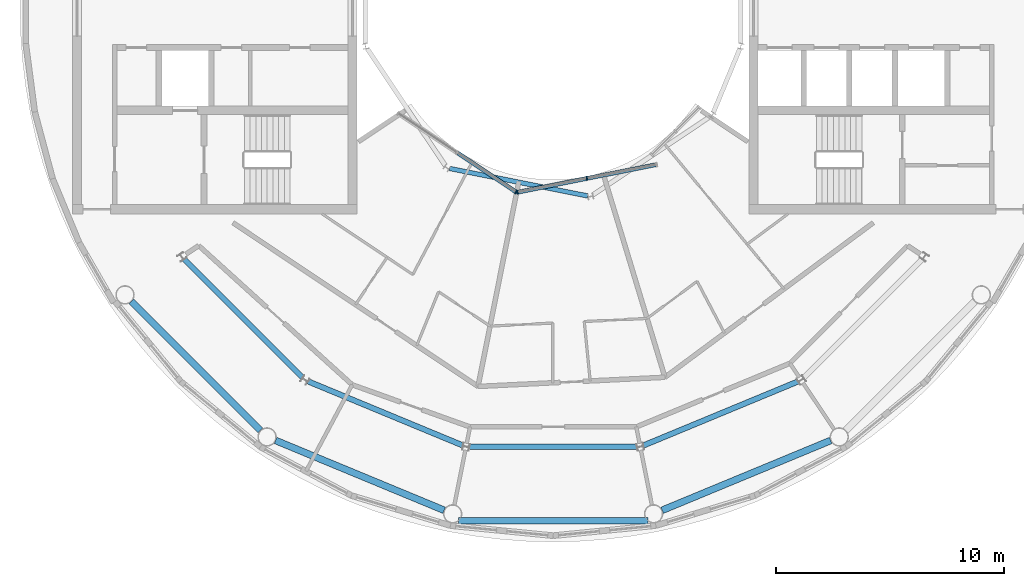
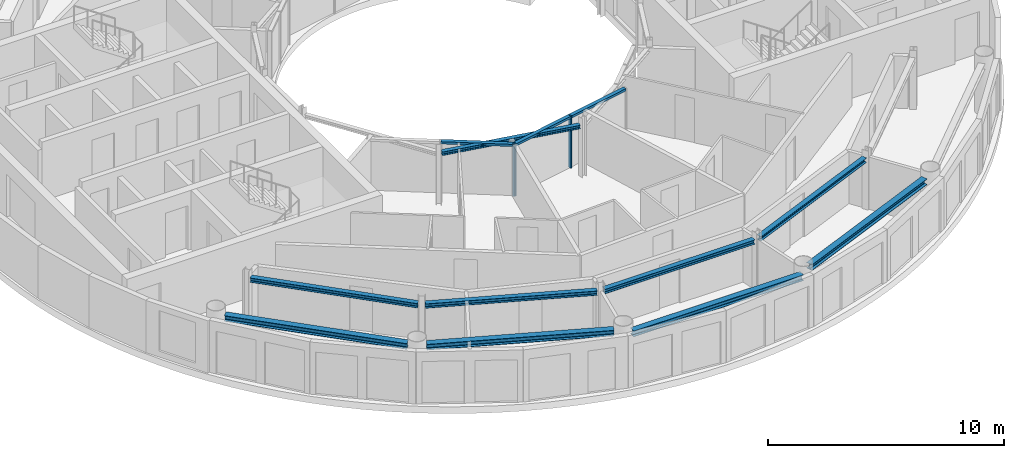
# One storey, part 5 of 17: 9 beams, 6 members, 2 elements without a shape of their own.
"""IFC4 building model written with IfcOpenShell, lengths in metres."""

from ifc_helpers import new_model, si_unit, direction, frame, origin, origin_2d, place, context, subcontext, project, spatial, rectangle, i_section, extrude, material, layer, layer_set, material_profile, profile_set, type_object, element, aggregate, save


model = new_model("IFC4")

# Units and contexts
model_context = context("Model", 3, precision=1e-05, world=origin(), true_north=direction((0.0, 1.0)))
body_context = subcontext(model_context, "Body", "Model", "MODEL_VIEW")
ifc_project = project(units=[si_unit("LENGTHUNIT", "METRE"), si_unit("AREAUNIT", "SQUARE_METRE"), si_unit("VOLUMEUNIT", "CUBIC_METRE"), si_unit("PLANEANGLEUNIT", "RADIAN"), si_unit("MASSUNIT", "GRAM", prefix="KILO")], contexts=[model_context])

# Site, building, storey
site_placement = place(None, origin())
site = spatial("IfcSite", under=ifc_project, at=site_placement, CompositionType="ELEMENT")
building_placement = place(site_placement, origin())
building = spatial("IfcBuilding", under=site, at=building_placement, Name="Maasbend Ring Residences", CompositionType="ELEMENT")
storey_placement = place(building_placement, frame((0.0, 0.0, 249.300048828125)))
storey = spatial("IfcBuildingStorey", under=building, at=storey_placement, Name="L72", CompositionType="ELEMENT", Elevation=249.300048828125)

# Curtain wall, member
ifc_material_1 = material(Name="Aluminium and clear glass", Category="aluminium")
ifc_layer = layer(ifc_material_1, 0.179931640625)
ifc_layer_set = layer_set([ifc_layer], Name="CW-W")
curtain_wall_type = type_object("IfcCurtainWallType", Name="CW-W", PredefinedType="NOTDEFINED", material=ifc_layer_set)
curtain_wall_1_placement = place(storey_placement, origin())
curtain_wall_1 = element("IfcCurtainWall", 1, at=curtain_wall_1_placement, inside=storey, type_object=curtain_wall_type, Name="Well curtain wall S1", PredefinedType="NOTDEFINED")
ifc_material_2 = material(Name="Aluminium 6063-T6", Category="aluminium")
ifc_material_profile_1 = material_profile(ifc_material_2, rectangle(XDim=0.179931640625, YDim=0.06005859375, at=origin_2d()), Name="AL 180x60")
ifc_profile_set_1 = profile_set([ifc_material_profile_1], Name="Aluminium 6063-T6")
member_type_1 = type_object("IfcMemberType", Name="CWM-W", PredefinedType="MULLION", material=ifc_profile_set_1)
member_1_placement = place(storey_placement, frame((-1.627685546875, -8.040771484375, 0.0), z_axis=(0.0, 0.0, 1.0), x_axis=(0.55557023302, 0.831469612303, 0.0)))
member_1 = element("IfcMember", 2, at=member_1_placement, type_object=member_type_1, Name="Mullion well face", PredefinedType="MULLION", context=body_context, shape_type="SweptSolid", body=[
    extrude(rectangle(XDim=0.179931640625, YDim=0.06005859375, at=origin_2d()), origin(), (0.0, 0.0, 1.0), 2.699951171875),
])

# Curtain wall, members
curtain_wall_2_placement = place(storey_placement, origin())
curtain_wall_2 = element("IfcCurtainWall", 3, at=curtain_wall_2_placement, inside=storey, type_object=curtain_wall_type, Name="Well curtain wall S2", PredefinedType="NOTDEFINED")
member_2_placement = place(storey_placement, frame((-1.5732421875, -8.0517578125, 0.0), z_axis=(0.0, 0.0, 1.0), x_axis=(-0.195090322016, 0.980785280403, 0.0)))
member_2 = element("IfcMember", 4, at=member_2_placement, type_object=member_type_1, Name="Mullion well face", PredefinedType="MULLION", context=body_context, shape_type="SweptSolid", body=[
    extrude(rectangle(XDim=0.179931640625, YDim=0.06005859375, at=origin_2d()), origin(), (0.0, 0.0, 1.0), 2.699951171875),
])
member_3_placement = place(storey_placement, frame((1.480712890625, -7.444091796875, 0.0), z_axis=(0.0, 0.0, 1.0), x_axis=(-0.195090322016, 0.980785280403, 0.0)))
member_3 = element("IfcMember", 5, at=member_3_placement, type_object=member_type_1, Name="Mullion well face", PredefinedType="MULLION", context=body_context, shape_type="SweptSolid", body=[
    extrude(rectangle(XDim=0.179931640625, YDim=0.06005859375, at=origin_2d()), origin(), (0.0, 0.0, 1.0), 2.699951171875),
])

# Member
ifc_material_3 = material(Name="Aluminium 6063-T6", Category="aluminium")
ifc_material_profile_2 = material_profile(ifc_material_3, rectangle(XDim=0.179931640625, YDim=0.1201171875, at=origin_2d()), Name="AL 180x120")
ifc_profile_set_2 = profile_set([ifc_material_profile_2], Name="Aluminium 6063-T6")
member_type_2 = type_object("IfcMemberType", Name="CWT-W", PredefinedType="USERDEFINED", material=ifc_profile_set_2)
member_4_placement = place(storey_placement, frame((-4.19189453125, -6.32763671875, 2.639892578125), z_axis=(0.831496422459, -0.555530106689, 0.0), x_axis=(0.555530106689, 0.831496422459, 0.0)))
member_4 = element("IfcMember", 6, at=member_4_placement, type_object=member_type_2, Name="Transom well face", ObjectType="TRANSOM", PredefinedType="USERDEFINED", context=body_context, shape_type="SweptSolid", body=[
    extrude(rectangle(XDim=0.179931640625, YDim=0.1201171875, at=origin_2d()), origin(), (0.0, 0.0, 1.0), 3.053955078125),
])

aggregate(curtain_wall_1, [member_1, member_4])

member_5_placement = place(storey_placement, frame((-1.5439453125, -8.0458984375, 2.639892578125), z_axis=(0.980776956105, 0.195132166424, 0.0), x_axis=(-0.195132166424, 0.980776956105, 0.0)))
member_5 = element("IfcMember", 7, at=member_5_placement, type_object=member_type_2, Name="Transom well face", ObjectType="TRANSOM", PredefinedType="USERDEFINED", context=body_context, shape_type="SweptSolid", body=[
    extrude(rectangle(XDim=0.179931640625, YDim=0.1201171875, at=origin_2d()), origin(), (0.0, 0.0, 1.0), 3.053955078125),
])

member_6_placement = place(storey_placement, frame((1.51025390625, -7.438232421875, 2.639892578125), z_axis=(0.980789210404, 0.19507056353, 0.0), x_axis=(-0.19507056353, 0.980789210404, 0.0)))
member_6 = element("IfcMember", 8, at=member_6_placement, type_object=member_type_2, Name="Transom well face", ObjectType="TRANSOM", PredefinedType="USERDEFINED", context=body_context, shape_type="SweptSolid", body=[
    extrude(rectangle(XDim=0.179931640625, YDim=0.1201171875, at=origin_2d()), origin(), (0.0, 0.0, 1.0), 3.0537109375),
])

aggregate(curtain_wall_2, [member_2, member_3, member_5, member_6])

# Beams
ifc_material_4 = material(Name="Steel S355J2", Category="steel")
ifc_material_profile_3 = material_profile(ifc_material_4, i_section(OverallWidth=0.239990234375, OverallDepth=0.22998046875, WebThickness=0.007568359375, FlangeThickness=0.011962890625, FilletRadius=0.02099609375, at=origin_2d()), Name="HEA 240")
ifc_profile_set_3 = profile_set([ifc_material_profile_3], Name="Steel S355J2")
beam_type_1 = type_object("IfcBeamType", Name="Corridor ring beam HEA 240", PredefinedType="BEAM", material=ifc_profile_set_3)
beam_1_placement = place(storey_placement, frame((-16.188720703125, -10.997314453125, 2.5849609375), z_axis=(0.707106781187, -0.707106781187, 0.0), x_axis=(0.707106781187, 0.707106781187, 0.0)))
element("IfcBeam", 9, at=beam_1_placement, inside=storey, type_object=beam_type_1, Name="Corridor ring beam", PredefinedType="BEAM", context=body_context, shape_type="SweptSolid", body=[
    extrude(i_section(OverallWidth=0.239990234375, OverallDepth=0.22998046875, WebThickness=0.007568359375, FlangeThickness=0.011962890625, FilletRadius=0.02099609375, at=origin_2d()), origin(), (0.0, 0.0, 1.0), 7.341796875),
])
beam_2_placement = place(storey_placement, frame((-10.747802734375, -16.355224609375, 2.5849609375), z_axis=(0.923875784142, -0.382692481603, 0.0), x_axis=(0.382692481603, 0.923875784142, 0.0)))
element("IfcBeam", 10, at=beam_2_placement, inside=storey, type_object=beam_type_1, Name="Corridor ring beam", PredefinedType="BEAM", context=body_context, shape_type="SweptSolid", body=[
    extrude(i_section(OverallWidth=0.239990234375, OverallDepth=0.22998046875, WebThickness=0.007568359375, FlangeThickness=0.011962890625, FilletRadius=0.02099609375, at=origin_2d()), origin(), (0.0, 0.0, 1.0), 7.341552734375),
])
beam_3_placement = place(storey_placement, frame((-3.6708984375, -19.223388671875, 2.5849609375), z_axis=(1.0, 0.0, 0.0), x_axis=(0.0, 1.0, 0.0)))
element("IfcBeam", 11, at=beam_3_placement, inside=storey, type_object=beam_type_1, Name="Corridor ring beam", PredefinedType="BEAM", context=body_context, shape_type="SweptSolid", body=[
    extrude(i_section(OverallWidth=0.239990234375, OverallDepth=0.22998046875, WebThickness=0.007568359375, FlangeThickness=0.011962890625, FilletRadius=0.02099609375, at=origin_2d()), origin(), (0.0, 0.0, 1.0), 7.341796875),
])
beam_4_placement = place(storey_placement, frame((3.965087890625, -19.164794921875, 2.5849609375), z_axis=(0.923875784142, 0.382692481603, 0.0), x_axis=(-0.382692481603, 0.923875784142, 0.0)))
element("IfcBeam", 12, at=beam_4_placement, inside=storey, type_object=beam_type_1, Name="Corridor ring beam", PredefinedType="BEAM", context=body_context, shape_type="SweptSolid", body=[
    extrude(i_section(OverallWidth=0.239990234375, OverallDepth=0.22998046875, WebThickness=0.007568359375, FlangeThickness=0.011962890625, FilletRadius=0.02099609375, at=origin_2d()), origin(), (0.0, 0.0, 1.0), 7.341552734375),
])
ifc_material_5 = material(Name="Steel S355J2", Category="steel")
ifc_material_profile_4 = material_profile(ifc_material_5, i_section(OverallWidth=0.300048828125, OverallDepth=0.300048828125, WebThickness=0.010986328125, FlangeThickness=0.01904296875, FilletRadius=0.027099609375, at=origin_2d()), Name="HEB 300")
ifc_profile_set_4 = profile_set([ifc_material_profile_4], Name="Steel S355J2")
beam_type_2 = type_object("IfcBeamType", Name="Spandrel ring beam HEB 300", PredefinedType="SPANDREL", material=ifc_profile_set_4)
beam_5_placement = place(storey_placement, frame((-18.50390625, -12.84326171875, 2.550048828125), z_axis=(0.707106781187, -0.707106781187, 0.0), x_axis=(0.707106781187, 0.707106781187, 0.0)))
element("IfcBeam", 13, at=beam_5_placement, inside=storey, type_object=beam_type_2, Name="Spandrel ring beam", PredefinedType="SPANDREL", context=body_context, shape_type="SweptSolid", body=[
    extrude(i_section(OverallWidth=0.300048828125, OverallDepth=0.300048828125, WebThickness=0.010986328125, FlangeThickness=0.01904296875, FilletRadius=0.027099609375, at=origin_2d()), origin(), (0.0, 0.0, 1.0), 8.00537109375),
])
beam_6_placement = place(storey_placement, frame((-12.180419921875, -18.94677734375, 2.550048828125), z_axis=(0.923887850638, -0.382663350013, 0.0), x_axis=(0.382663350013, 0.923887850638, 0.0)))
element("IfcBeam", 14, at=beam_6_placement, inside=storey, type_object=beam_type_2, Name="Spandrel ring beam", PredefinedType="SPANDREL", context=body_context, shape_type="SweptSolid", body=[
    extrude(i_section(OverallWidth=0.300048828125, OverallDepth=0.300048828125, WebThickness=0.010986328125, FlangeThickness=0.01904296875, FilletRadius=0.027099609375, at=origin_2d()), origin(), (0.0, 0.0, 1.0), 8.005126953125),
])
beam_7_placement = place(storey_placement, frame((-4.152587890625, -22.4658203125, 2.550048828125), z_axis=(1.0, 0.0, 0.0), x_axis=(0.0, 1.0, 0.0)))
element("IfcBeam", 15, at=beam_7_placement, inside=storey, type_object=beam_type_2, Name="Spandrel ring beam", PredefinedType="SPANDREL", context=body_context, shape_type="SweptSolid", body=[
    extrude(i_section(OverallWidth=0.300048828125, OverallDepth=0.300048828125, WebThickness=0.010986328125, FlangeThickness=0.01904296875, FilletRadius=0.027099609375, at=origin_2d()), origin(), (0.0, 0.0, 1.0), 8.30517578125),
])
beam_8_placement = place(storey_placement, frame((4.78466796875, -22.010009765625, 2.550048828125), z_axis=(0.923887850638, 0.382663350013, 0.0), x_axis=(-0.382663350013, 0.923887850638, 0.0)))
element("IfcBeam", 16, at=beam_8_placement, inside=storey, type_object=beam_type_2, Name="Spandrel ring beam", PredefinedType="SPANDREL", context=body_context, shape_type="SweptSolid", body=[
    extrude(i_section(OverallWidth=0.300048828125, OverallDepth=0.300048828125, WebThickness=0.010986328125, FlangeThickness=0.01904296875, FilletRadius=0.027099609375, at=origin_2d()), origin(), (0.0, 0.0, 1.0), 8.005126953125),
])
ifc_material_6 = material(Name="Steel S355J2", Category="steel")
ifc_material_profile_5 = material_profile(ifc_material_6, i_section(OverallWidth=0.199951171875, OverallDepth=0.18994140625, WebThickness=0.006591796875, FlangeThickness=0.010009765625, FilletRadius=0.01806640625, at=origin_2d()), Name="HEA 200")
ifc_profile_set_5 = profile_set([ifc_material_profile_5], Name="Steel S355J2")
beam_type_3 = type_object("IfcBeamType", Name="Well edge beam HEA 200", PredefinedType="BEAM", material=ifc_profile_set_5)
beam_9_placement = place(storey_placement, frame((-4.544677734375, -7.008544921875, 2.60498046875), z_axis=(0.98078072474, -0.195113223486, 0.0), x_axis=(0.195113223486, 0.98078072474, 0.0)))
element("IfcBeam", 17, at=beam_9_placement, inside=storey, type_object=beam_type_3, Name="Well edge beam", PredefinedType="BEAM", context=body_context, shape_type="SweptSolid", body=[
    extrude(i_section(OverallWidth=0.199951171875, OverallDepth=0.18994140625, WebThickness=0.006591796875, FlangeThickness=0.010009765625, FilletRadius=0.01806640625, at=origin_2d()), origin(), (0.0, 0.0, 1.0), 6.18017578125),
])

save(model, "model.ifc")
